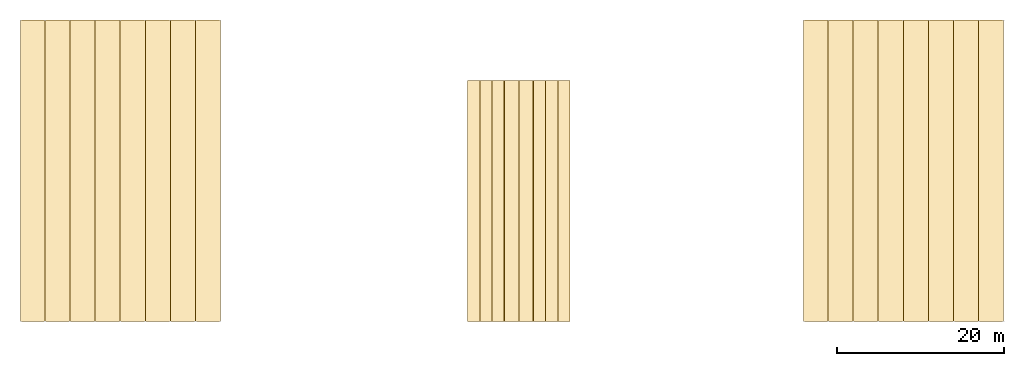
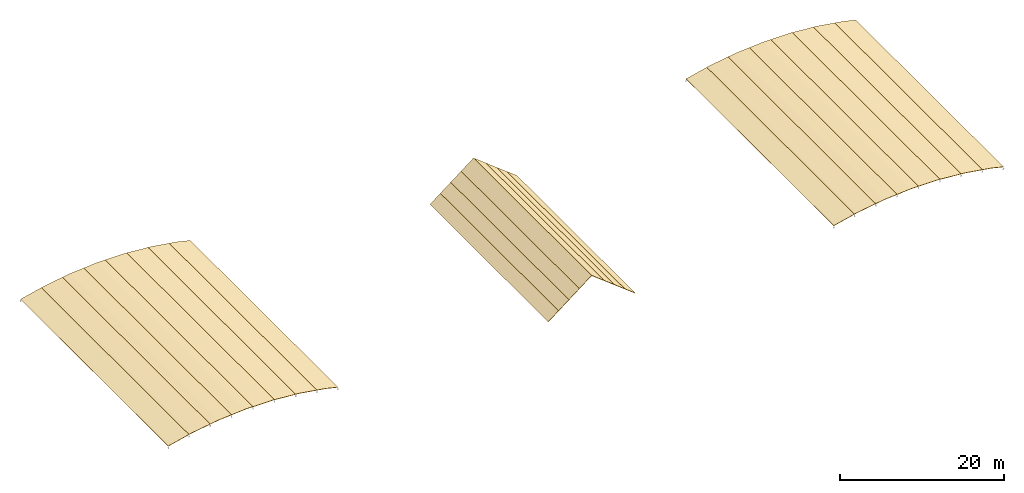
# One storey, part 13 of 13: 23 coverings.
"""IFC4 building model written with IfcOpenShell, lengths in metres."""

from ifc_helpers import new_model, si_unit, direction, frame, origin, place, context, subcontext, project, spatial, polygons, material, layer, layer_set, type_object, element, save


model = new_model("IFC4")

# Units and contexts
model_context = context("Model", 3, precision=1e-05, world=origin(), true_north=direction((0.0, 1.0)))
body_context = subcontext(model_context, "Body", "Model", "MODEL_VIEW")
ifc_project = project(units=[si_unit("LENGTHUNIT", "METRE"), si_unit("AREAUNIT", "SQUARE_METRE"), si_unit("VOLUMEUNIT", "CUBIC_METRE"), si_unit("PLANEANGLEUNIT", "RADIAN"), si_unit("MASSUNIT", "GRAM", prefix="KILO")], contexts=[model_context])

# Site, building, storey
site_placement = place(None, origin())
site = spatial("IfcSite", under=ifc_project, at=site_placement, CompositionType="ELEMENT")
building_placement = place(site_placement, origin())
building = spatial("IfcBuilding", under=site, at=building_placement, Name="Verrick Yard Athletic Hall", CompositionType="ELEMENT")
storey_placement = place(building_placement, frame((0.0, 0.0, 21.5)))
storey = spatial("IfcBuildingStorey", under=building, at=storey_placement, Name="Upper Roof", CompositionType="ELEMENT", Elevation=21.5)

# Coverings
ifc_material = material(Name="Standing-seam aluminium roofing", Category="aluminium")
ifc_layer = layer(ifc_material, 0.050048828125)
ifc_layer_set = layer_set([ifc_layer], Name="Roof covering standing seam")
covering_type = type_object("IfcCoveringType", Name="Roof covering standing seam", PredefinedType="ROOFING", material=ifc_layer_set)
covering_1_placement = place(storey_placement, origin())
element("IfcCovering", 1, at=covering_1_placement, inside=storey, type_object=covering_type, Name="Court hall A roofing course 6", PredefinedType="ROOFING", context=body_context, shape_type="Tessellation", body=[
    polygons([(132.85888671875, 72.0, -0.007080078125), (135.77587890625, 72.0, 0.692138671875), (132.85888671875, 108.0, -0.007080078125), (135.77587890625, 108.0, 0.692138671875), (132.847412109375, 72.0, 0.041748046875), (135.764404296875, 72.0, 0.74072265625), (132.847412109375, 108.0, 0.041748046875), (135.764404296875, 108.0, 0.74072265625)], [[[1, 4, 2]], [[1, 3, 4]], [[5, 6, 8]], [[5, 8, 7]], [[1, 2, 6]], [[1, 6, 5]], [[3, 8, 4]], [[3, 7, 8]], [[1, 5, 7]], [[1, 7, 3]], [[2, 8, 6]], [[2, 4, 8]]], closed=True),
])
covering_2_placement = place(storey_placement, origin())
element("IfcCovering", 2, at=covering_2_placement, inside=storey, type_object=covering_type, Name="Court hall A roofing course 7", PredefinedType="ROOFING", context=body_context, shape_type="Tessellation", body=[
    polygons([(135.77587890625, 72.0, 0.692138671875), (136.161865234375, 72.0, 0.78466796875), (138.75, 72.0, 1.19384765625), (135.77587890625, 108.0, 0.692138671875), (136.161865234375, 108.0, 0.78466796875), (138.75, 108.0, 1.19384765625), (135.764404296875, 72.0, 0.74072265625), (136.152099609375, 72.0, 0.833740234375), (138.7421875, 72.0, 1.243408203125), (135.764404296875, 108.0, 0.74072265625), (136.152099609375, 108.0, 0.833740234375), (138.7421875, 108.0, 1.243408203125)], [[[1, 5, 2]], [[1, 4, 5]], [[7, 8, 11]], [[7, 11, 10]], [[1, 2, 8]], [[1, 8, 7]], [[4, 11, 5]], [[4, 10, 11]], [[2, 6, 3]], [[2, 5, 6]], [[8, 9, 12]], [[8, 12, 11]], [[2, 3, 9]], [[2, 9, 8]], [[5, 12, 6]], [[5, 11, 12]], [[1, 7, 10]], [[1, 10, 4]], [[3, 12, 9]], [[3, 6, 12]]], closed=True),
])
covering_3_placement = place(storey_placement, origin())
element("IfcCovering", 3, at=covering_3_placement, inside=storey, type_object=covering_type, Name="Court hall A roofing course 8", PredefinedType="ROOFING", context=body_context, shape_type="Tessellation", body=[
    polygons([(138.75, 72.0, 1.19384765625), (139.913818359375, 72.0, 1.3779296875), (141.748046875, 72.0, 1.52197265625), (138.75, 108.0, 1.19384765625), (139.913818359375, 108.0, 1.3779296875), (141.748046875, 108.0, 1.52197265625), (138.7421875, 72.0, 1.243408203125), (139.907958984375, 72.0, 1.427734375), (141.744140625, 72.0, 1.572021484375), (138.7421875, 108.0, 1.243408203125), (139.907958984375, 108.0, 1.427734375), (141.744140625, 108.0, 1.572021484375)], [[[1, 5, 2]], [[1, 4, 5]], [[7, 8, 11]], [[7, 11, 10]], [[1, 2, 8]], [[1, 8, 7]], [[4, 11, 5]], [[4, 10, 11]], [[2, 6, 3]], [[2, 5, 6]], [[8, 9, 12]], [[8, 12, 11]], [[2, 3, 9]], [[2, 9, 8]], [[5, 12, 6]], [[5, 11, 12]], [[1, 7, 10]], [[1, 10, 4]], [[3, 12, 9]], [[3, 6, 12]]], closed=True),
])
covering_4_placement = place(storey_placement, origin())
element("IfcCovering", 4, at=covering_4_placement, inside=storey, type_object=covering_type, Name="Court hall A roofing course 9", PredefinedType="ROOFING", context=body_context, shape_type="Tessellation", body=[
    polygons([(141.748046875, 72.0, 1.52197265625), (143.70068359375, 72.0, 1.675537109375), (144.760009765625, 72.0, 1.675537109375), (141.748046875, 108.0, 1.52197265625), (143.70068359375, 108.0, 1.675537109375), (144.760009765625, 108.0, 1.675537109375), (141.744140625, 72.0, 1.572021484375), (143.69873046875, 72.0, 1.7255859375), (144.760009765625, 72.0, 1.7255859375), (141.744140625, 108.0, 1.572021484375), (143.69873046875, 108.0, 1.7255859375), (144.760009765625, 108.0, 1.7255859375)], [[[1, 5, 2]], [[1, 4, 5]], [[7, 8, 11]], [[7, 11, 10]], [[1, 2, 8]], [[1, 8, 7]], [[4, 11, 5]], [[4, 10, 11]], [[2, 6, 3]], [[2, 5, 6]], [[8, 9, 12]], [[8, 12, 11]], [[2, 3, 9]], [[2, 9, 8]], [[5, 12, 6]], [[5, 11, 12]], [[1, 7, 10]], [[1, 10, 4]], [[3, 12, 9]], [[3, 6, 12]]], closed=True),
])
covering_5_placement = place(storey_placement, origin())
element("IfcCovering", 5, at=covering_5_placement, inside=storey, type_object=covering_type, Name="Court hall A roofing course 10", PredefinedType="ROOFING", context=body_context, shape_type="Tessellation", body=[
    polygons([(144.760009765625, 72.0, 1.675537109375), (147.499267578125, 72.0, 1.675537109375), (147.777099609375, 72.0, 1.653564453125), (144.760009765625, 108.0, 1.675537109375), (147.499267578125, 108.0, 1.675537109375), (147.777099609375, 108.0, 1.653564453125), (144.760009765625, 72.0, 1.7255859375), (147.501220703125, 72.0, 1.7255859375), (147.781005859375, 72.0, 1.70361328125), (144.760009765625, 108.0, 1.7255859375), (147.501220703125, 108.0, 1.7255859375), (147.781005859375, 108.0, 1.70361328125)], [[[1, 5, 2]], [[1, 4, 5]], [[7, 8, 11]], [[7, 11, 10]], [[1, 2, 8]], [[1, 8, 7]], [[4, 11, 5]], [[4, 10, 11]], [[2, 6, 3]], [[2, 5, 6]], [[8, 9, 12]], [[8, 12, 11]], [[2, 3, 9]], [[2, 9, 8]], [[5, 12, 6]], [[5, 11, 12]], [[1, 7, 10]], [[1, 10, 4]], [[3, 12, 9]], [[3, 6, 12]]], closed=True),
])
covering_6_placement = place(storey_placement, origin())
element("IfcCovering", 6, at=covering_6_placement, inside=storey, type_object=covering_type, Name="Court hall A roofing course 11", PredefinedType="ROOFING", context=body_context, shape_type="Tessellation", body=[
    polygons([(147.777099609375, 72.0, 1.653564453125), (150.76806640625, 72.0, 1.418701171875), (147.777099609375, 108.0, 1.653564453125), (150.76806640625, 108.0, 1.418701171875), (147.781005859375, 72.0, 1.70361328125), (150.77197265625, 72.0, 1.468505859375), (147.781005859375, 108.0, 1.70361328125), (150.77197265625, 108.0, 1.468505859375)], [[[1, 4, 2]], [[1, 3, 4]], [[5, 6, 8]], [[5, 8, 7]], [[1, 2, 6]], [[1, 6, 5]], [[3, 8, 4]], [[3, 7, 8]], [[1, 5, 7]], [[1, 7, 3]], [[2, 8, 6]], [[2, 4, 8]]], closed=True),
])
covering_7_placement = place(storey_placement, origin())
element("IfcCovering", 7, at=covering_7_placement, inside=storey, type_object=covering_type, Name="Court hall A roofing course 12", PredefinedType="ROOFING", context=body_context, shape_type="Tessellation", body=[
    polygons([(150.76806640625, 72.0, 1.418701171875), (151.2861328125, 72.0, 1.3779296875), (153.7529296875, 72.0, 0.98779296875), (150.76806640625, 108.0, 1.418701171875), (151.2861328125, 108.0, 1.3779296875), (153.7529296875, 108.0, 0.98779296875), (150.77197265625, 72.0, 1.468505859375), (151.2919921875, 72.0, 1.427734375), (153.7607421875, 72.0, 1.037353515625), (150.77197265625, 108.0, 1.468505859375), (151.2919921875, 108.0, 1.427734375), (153.7607421875, 108.0, 1.037353515625)], [[[1, 5, 2]], [[1, 4, 5]], [[7, 8, 11]], [[7, 11, 10]], [[1, 2, 8]], [[1, 8, 7]], [[4, 11, 5]], [[4, 10, 11]], [[2, 6, 3]], [[2, 5, 6]], [[8, 9, 12]], [[8, 12, 11]], [[2, 3, 9]], [[2, 9, 8]], [[5, 12, 6]], [[5, 11, 12]], [[1, 7, 10]], [[1, 10, 4]], [[3, 12, 9]], [[3, 6, 12]]], closed=True),
])
covering_8_placement = place(storey_placement, origin())
element("IfcCovering", 8, at=covering_8_placement, inside=storey, type_object=covering_type, Name="Court hall A roofing course 13", PredefinedType="ROOFING", context=body_context, shape_type="Tessellation", body=[
    polygons([(153.7529296875, 72.0, 0.98779296875), (155.0380859375, 72.0, 0.78466796875), (156.70703125, 72.0, 0.384765625), (153.7529296875, 108.0, 0.98779296875), (155.0380859375, 108.0, 0.78466796875), (156.70703125, 108.0, 0.384765625), (153.7607421875, 72.0, 1.037353515625), (155.0478515625, 72.0, 0.833740234375), (156.71875, 72.0, 0.433349609375), (153.7607421875, 108.0, 1.037353515625), (155.0478515625, 108.0, 0.833740234375), (156.71875, 108.0, 0.433349609375)], [[[1, 5, 2]], [[1, 4, 5]], [[7, 8, 11]], [[7, 11, 10]], [[1, 2, 8]], [[1, 8, 7]], [[4, 11, 5]], [[4, 10, 11]], [[2, 6, 3]], [[2, 5, 6]], [[8, 9, 12]], [[8, 12, 11]], [[2, 3, 9]], [[2, 9, 8]], [[5, 12, 6]], [[5, 11, 12]], [[1, 7, 10]], [[1, 10, 4]], [[3, 12, 9]], [[3, 6, 12]]], closed=True),
])
covering_9_placement = place(storey_placement, origin())
element("IfcCovering", 9, at=covering_9_placement, inside=storey, type_object=covering_type, Name="Court hall B roofing course 6", PredefinedType="ROOFING", context=body_context, shape_type="Tessellation", body=[
    polygons([(39.259033203125, 72.0, -0.007080078125), (42.176025390625, 72.0, 0.692138671875), (39.259033203125, 108.0, -0.007080078125), (42.176025390625, 108.0, 0.692138671875), (39.247314453125, 72.0, 0.041748046875), (42.164306640625, 72.0, 0.74072265625), (39.247314453125, 108.0, 0.041748046875), (42.164306640625, 108.0, 0.74072265625)], [[[1, 4, 2]], [[1, 3, 4]], [[5, 6, 8]], [[5, 8, 7]], [[1, 2, 6]], [[1, 6, 5]], [[3, 8, 4]], [[3, 7, 8]], [[1, 5, 7]], [[1, 7, 3]], [[2, 8, 6]], [[2, 4, 8]]], closed=True),
])
covering_10_placement = place(storey_placement, origin())
element("IfcCovering", 10, at=covering_10_placement, inside=storey, type_object=covering_type, Name="Court hall B roofing course 7", PredefinedType="ROOFING", context=body_context, shape_type="Tessellation", body=[
    polygons([(42.176025390625, 72.0, 0.692138671875), (42.56201171875, 72.0, 0.78466796875), (45.14990234375, 72.0, 1.19384765625), (42.176025390625, 108.0, 0.692138671875), (42.56201171875, 108.0, 0.78466796875), (45.14990234375, 108.0, 1.19384765625), (42.164306640625, 72.0, 0.74072265625), (42.55224609375, 72.0, 0.833740234375), (45.14208984375, 72.0, 1.243408203125), (42.164306640625, 108.0, 0.74072265625), (42.55224609375, 108.0, 0.833740234375), (45.14208984375, 108.0, 1.243408203125)], [[[1, 5, 2]], [[1, 4, 5]], [[7, 8, 11]], [[7, 11, 10]], [[1, 2, 8]], [[1, 8, 7]], [[4, 11, 5]], [[4, 10, 11]], [[2, 6, 3]], [[2, 5, 6]], [[8, 9, 12]], [[8, 12, 11]], [[2, 3, 9]], [[2, 9, 8]], [[5, 12, 6]], [[5, 11, 12]], [[1, 7, 10]], [[1, 10, 4]], [[3, 12, 9]], [[3, 6, 12]]], closed=True),
])
covering_11_placement = place(storey_placement, origin())
element("IfcCovering", 11, at=covering_11_placement, inside=storey, type_object=covering_type, Name="Court hall B roofing course 8", PredefinedType="ROOFING", context=body_context, shape_type="Tessellation", body=[
    polygons([(45.14990234375, 72.0, 1.19384765625), (46.31396484375, 72.0, 1.3779296875), (48.14794921875, 72.0, 1.52197265625), (45.14990234375, 108.0, 1.19384765625), (46.31396484375, 108.0, 1.3779296875), (48.14794921875, 108.0, 1.52197265625), (45.14208984375, 72.0, 1.243408203125), (46.307861328125, 72.0, 1.427734375), (48.14404296875, 72.0, 1.572021484375), (45.14208984375, 108.0, 1.243408203125), (46.307861328125, 108.0, 1.427734375), (48.14404296875, 108.0, 1.572021484375)], [[[1, 5, 2]], [[1, 4, 5]], [[7, 8, 11]], [[7, 11, 10]], [[1, 2, 8]], [[1, 8, 7]], [[4, 11, 5]], [[4, 10, 11]], [[2, 6, 3]], [[2, 5, 6]], [[8, 9, 12]], [[8, 12, 11]], [[2, 3, 9]], [[2, 9, 8]], [[5, 12, 6]], [[5, 11, 12]], [[1, 7, 10]], [[1, 10, 4]], [[3, 12, 9]], [[3, 6, 12]]], closed=True),
])
covering_12_placement = place(storey_placement, origin())
element("IfcCovering", 12, at=covering_12_placement, inside=storey, type_object=covering_type, Name="Court hall B roofing course 9", PredefinedType="ROOFING", context=body_context, shape_type="Tessellation", body=[
    polygons([(48.14794921875, 72.0, 1.52197265625), (50.100830078125, 72.0, 1.675537109375), (51.159912109375, 72.0, 1.675537109375), (48.14794921875, 108.0, 1.52197265625), (50.100830078125, 108.0, 1.675537109375), (51.159912109375, 108.0, 1.675537109375), (48.14404296875, 72.0, 1.572021484375), (50.098876953125, 72.0, 1.7255859375), (51.159912109375, 72.0, 1.7255859375), (48.14404296875, 108.0, 1.572021484375), (50.098876953125, 108.0, 1.7255859375), (51.159912109375, 108.0, 1.7255859375)], [[[1, 5, 2]], [[1, 4, 5]], [[7, 8, 11]], [[7, 11, 10]], [[1, 2, 8]], [[1, 8, 7]], [[4, 11, 5]], [[4, 10, 11]], [[2, 6, 3]], [[2, 5, 6]], [[8, 9, 12]], [[8, 12, 11]], [[2, 3, 9]], [[2, 9, 8]], [[5, 12, 6]], [[5, 11, 12]], [[1, 7, 10]], [[1, 10, 4]], [[3, 12, 9]], [[3, 6, 12]]], closed=True),
])
covering_13_placement = place(storey_placement, origin())
element("IfcCovering", 13, at=covering_13_placement, inside=storey, type_object=covering_type, Name="Court hall B roofing course 10", PredefinedType="ROOFING", context=body_context, shape_type="Tessellation", body=[
    polygons([(51.159912109375, 72.0, 1.675537109375), (53.899169921875, 72.0, 1.675537109375), (54.177001953125, 72.0, 1.653564453125), (51.159912109375, 108.0, 1.675537109375), (53.899169921875, 108.0, 1.675537109375), (54.177001953125, 108.0, 1.653564453125), (51.159912109375, 72.0, 1.7255859375), (53.901123046875, 72.0, 1.7255859375), (54.180908203125, 72.0, 1.70361328125), (51.159912109375, 108.0, 1.7255859375), (53.901123046875, 108.0, 1.7255859375), (54.180908203125, 108.0, 1.70361328125)], [[[1, 5, 2]], [[1, 4, 5]], [[7, 8, 11]], [[7, 11, 10]], [[1, 2, 8]], [[1, 8, 7]], [[4, 11, 5]], [[4, 10, 11]], [[2, 6, 3]], [[2, 5, 6]], [[8, 9, 12]], [[8, 12, 11]], [[2, 3, 9]], [[2, 9, 8]], [[5, 12, 6]], [[5, 11, 12]], [[1, 7, 10]], [[1, 10, 4]], [[3, 12, 9]], [[3, 6, 12]]], closed=True),
])
covering_14_placement = place(storey_placement, origin())
element("IfcCovering", 14, at=covering_14_placement, inside=storey, type_object=covering_type, Name="Court hall B roofing course 11", PredefinedType="ROOFING", context=body_context, shape_type="Tessellation", body=[
    polygons([(54.177001953125, 72.0, 1.653564453125), (57.16796875, 72.0, 1.418701171875), (54.177001953125, 108.0, 1.653564453125), (57.16796875, 108.0, 1.418701171875), (54.180908203125, 72.0, 1.70361328125), (57.171875, 72.0, 1.468505859375), (54.180908203125, 108.0, 1.70361328125), (57.171875, 108.0, 1.468505859375)], [[[1, 4, 2]], [[1, 3, 4]], [[5, 6, 8]], [[5, 8, 7]], [[1, 2, 6]], [[1, 6, 5]], [[3, 8, 4]], [[3, 7, 8]], [[1, 5, 7]], [[1, 7, 3]], [[2, 8, 6]], [[2, 4, 8]]], closed=True),
])
covering_15_placement = place(storey_placement, origin())
element("IfcCovering", 15, at=covering_15_placement, inside=storey, type_object=covering_type, Name="Court hall B roofing course 12", PredefinedType="ROOFING", context=body_context, shape_type="Tessellation", body=[
    polygons([(57.16796875, 72.0, 1.418701171875), (57.686279296875, 72.0, 1.3779296875), (60.153076171875, 72.0, 0.98779296875), (57.16796875, 108.0, 1.418701171875), (57.686279296875, 108.0, 1.3779296875), (60.153076171875, 108.0, 0.98779296875), (57.171875, 72.0, 1.468505859375), (57.692138671875, 72.0, 1.427734375), (60.160888671875, 72.0, 1.037353515625), (57.171875, 108.0, 1.468505859375), (57.692138671875, 108.0, 1.427734375), (60.160888671875, 108.0, 1.037353515625)], [[[1, 5, 2]], [[1, 4, 5]], [[7, 8, 11]], [[7, 11, 10]], [[1, 2, 8]], [[1, 8, 7]], [[4, 11, 5]], [[4, 10, 11]], [[2, 6, 3]], [[2, 5, 6]], [[8, 9, 12]], [[8, 12, 11]], [[2, 3, 9]], [[2, 9, 8]], [[5, 12, 6]], [[5, 11, 12]], [[1, 7, 10]], [[1, 10, 4]], [[3, 12, 9]], [[3, 6, 12]]], closed=True),
])
covering_16_placement = place(storey_placement, origin())
element("IfcCovering", 16, at=covering_16_placement, inside=storey, type_object=covering_type, Name="Court hall B roofing course 13", PredefinedType="ROOFING", context=body_context, shape_type="Tessellation", body=[
    polygons([(60.153076171875, 72.0, 0.98779296875), (61.43798828125, 72.0, 0.78466796875), (63.10693359375, 72.0, 0.384765625), (60.153076171875, 108.0, 0.98779296875), (61.43798828125, 108.0, 0.78466796875), (63.10693359375, 108.0, 0.384765625), (60.160888671875, 72.0, 1.037353515625), (61.44775390625, 72.0, 0.833740234375), (63.11865234375, 72.0, 0.433349609375), (60.160888671875, 108.0, 1.037353515625), (61.44775390625, 108.0, 0.833740234375), (63.11865234375, 108.0, 0.433349609375)], [[[1, 5, 2]], [[1, 4, 5]], [[7, 8, 11]], [[7, 11, 10]], [[1, 2, 8]], [[1, 8, 7]], [[4, 11, 5]], [[4, 10, 11]], [[2, 6, 3]], [[2, 5, 6]], [[8, 9, 12]], [[8, 12, 11]], [[2, 3, 9]], [[2, 9, 8]], [[5, 12, 6]], [[5, 11, 12]], [[1, 7, 10]], [[1, 10, 4]], [[3, 12, 9]], [[3, 6, 12]]], closed=True),
])
covering_17_placement = place(storey_placement, origin())
element("IfcCovering", 17, at=covering_17_placement, inside=storey, type_object=covering_type, Name="Climbing hall roofing course 4", PredefinedType="ROOFING", context=body_context, shape_type="Tessellation", body=[
    polygons([(92.7060546875, 72.0, -0.23974609375), (94.1669921875, 72.0, 0.896484375), (92.7060546875, 100.800048828125, -0.23974609375), (94.1669921875, 100.800048828125, 0.896484375), (92.67529296875, 72.0, -0.2001953125), (94.13623046875, 72.0, 0.93603515625), (92.67529296875, 100.800048828125, -0.2001953125), (94.13623046875, 100.800048828125, 0.93603515625)], [[[1, 4, 2]], [[1, 3, 4]], [[5, 6, 8]], [[5, 8, 7]], [[1, 2, 6]], [[1, 6, 5]], [[3, 8, 4]], [[3, 7, 8]], [[1, 5, 7]], [[1, 7, 3]], [[2, 8, 6]], [[2, 4, 8]]], closed=True),
])
covering_18_placement = place(storey_placement, origin())
element("IfcCovering", 18, at=covering_18_placement, inside=storey, type_object=covering_type, Name="Climbing hall roofing course 5", PredefinedType="ROOFING", context=body_context, shape_type="Tessellation", body=[
    polygons([(94.1669921875, 72.0, 0.896484375), (95.626953125, 72.0, 2.0322265625), (94.1669921875, 100.800048828125, 0.896484375), (95.626953125, 100.800048828125, 2.0322265625), (94.13623046875, 72.0, 0.93603515625), (95.59619140625, 72.0, 2.071533203125), (94.13623046875, 100.800048828125, 0.93603515625), (95.59619140625, 100.800048828125, 2.071533203125)], [[[1, 4, 2]], [[1, 3, 4]], [[5, 6, 8]], [[5, 8, 7]], [[1, 2, 6]], [[1, 6, 5]], [[3, 8, 4]], [[3, 7, 8]], [[1, 5, 7]], [[1, 7, 3]], [[2, 8, 6]], [[2, 4, 8]]], closed=True),
])
covering_19_placement = place(storey_placement, origin())
element("IfcCovering", 19, at=covering_19_placement, inside=storey, type_object=covering_type, Name="Climbing hall roofing course 6", PredefinedType="ROOFING", context=body_context, shape_type="Tessellation", body=[
    polygons([(95.626953125, 72.0, 2.0322265625), (97.0869140625, 72.0, 3.167724609375), (95.626953125, 100.800048828125, 2.0322265625), (97.0869140625, 100.800048828125, 3.167724609375), (95.59619140625, 72.0, 2.071533203125), (97.056396484375, 72.0, 3.20703125), (95.59619140625, 100.800048828125, 2.071533203125), (97.056396484375, 100.800048828125, 3.20703125)], [[[1, 4, 2]], [[1, 3, 4]], [[5, 6, 8]], [[5, 8, 7]], [[1, 2, 6]], [[1, 6, 5]], [[3, 8, 4]], [[3, 7, 8]], [[1, 5, 7]], [[1, 7, 3]], [[2, 8, 6]], [[2, 4, 8]]], closed=True),
])
covering_20_placement = place(storey_placement, origin())
element("IfcCovering", 20, at=covering_20_placement, inside=storey, type_object=covering_type, Name="Climbing hall roofing course 7", PredefinedType="ROOFING", context=body_context, shape_type="Tessellation", body=[
    polygons([(97.0869140625, 72.0, 3.167724609375), (98.800048828125, 72.0, 4.5), (100.512939453125, 72.0, 3.167724609375), (97.0869140625, 100.800048828125, 3.167724609375), (98.800048828125, 100.800048828125, 4.5), (100.512939453125, 100.800048828125, 3.167724609375), (97.056396484375, 72.0, 3.20703125), (98.800048828125, 72.0, 4.563232421875), (100.543701171875, 72.0, 3.20703125), (97.056396484375, 100.800048828125, 3.20703125), (98.800048828125, 100.800048828125, 4.563232421875), (100.543701171875, 100.800048828125, 3.20703125)], [[[1, 5, 2]], [[1, 4, 5]], [[7, 8, 11]], [[7, 11, 10]], [[1, 2, 8]], [[1, 8, 7]], [[4, 11, 5]], [[4, 10, 11]], [[2, 6, 3]], [[2, 5, 6]], [[8, 9, 12]], [[8, 12, 11]], [[2, 3, 9]], [[2, 9, 8]], [[5, 12, 6]], [[5, 11, 12]], [[1, 7, 10]], [[1, 10, 4]], [[3, 12, 9]], [[3, 6, 12]]], closed=True),
])
covering_21_placement = place(storey_placement, origin())
element("IfcCovering", 21, at=covering_21_placement, inside=storey, type_object=covering_type, Name="Climbing hall roofing course 8", PredefinedType="ROOFING", context=body_context, shape_type="Tessellation", body=[
    polygons([(100.512939453125, 72.0, 3.167724609375), (101.972900390625, 72.0, 2.0322265625), (100.512939453125, 100.800048828125, 3.167724609375), (101.972900390625, 100.800048828125, 2.0322265625), (100.543701171875, 72.0, 3.20703125), (102.003662109375, 72.0, 2.071533203125), (100.543701171875, 100.800048828125, 3.20703125), (102.003662109375, 100.800048828125, 2.071533203125)], [[[1, 4, 2]], [[1, 3, 4]], [[5, 6, 8]], [[5, 8, 7]], [[1, 2, 6]], [[1, 6, 5]], [[3, 8, 4]], [[3, 7, 8]], [[1, 5, 7]], [[1, 7, 3]], [[2, 8, 6]], [[2, 4, 8]]], closed=True),
])
covering_22_placement = place(storey_placement, origin())
element("IfcCovering", 22, at=covering_22_placement, inside=storey, type_object=covering_type, Name="Climbing hall roofing course 9", PredefinedType="ROOFING", context=body_context, shape_type="Tessellation", body=[
    polygons([(101.972900390625, 72.0, 2.0322265625), (103.43310546875, 72.0, 0.896484375), (101.972900390625, 100.800048828125, 2.0322265625), (103.43310546875, 100.800048828125, 0.896484375), (102.003662109375, 72.0, 2.071533203125), (103.463623046875, 72.0, 0.93603515625), (102.003662109375, 100.800048828125, 2.071533203125), (103.463623046875, 100.800048828125, 0.93603515625)], [[[1, 4, 2]], [[1, 3, 4]], [[5, 6, 8]], [[5, 8, 7]], [[1, 2, 6]], [[1, 6, 5]], [[3, 8, 4]], [[3, 7, 8]], [[1, 5, 7]], [[1, 7, 3]], [[2, 8, 6]], [[2, 4, 8]]], closed=True),
])
covering_23_placement = place(storey_placement, origin())
element("IfcCovering", 23, at=covering_23_placement, inside=storey, type_object=covering_type, Name="Climbing hall roofing course 10", PredefinedType="ROOFING", context=body_context, shape_type="Tessellation", body=[
    polygons([(103.43310546875, 72.0, 0.896484375), (104.89404296875, 72.0, -0.23974609375), (103.43310546875, 100.800048828125, 0.896484375), (104.89404296875, 100.800048828125, -0.23974609375), (103.463623046875, 72.0, 0.93603515625), (104.9248046875, 72.0, -0.2001953125), (103.463623046875, 100.800048828125, 0.93603515625), (104.9248046875, 100.800048828125, -0.2001953125)], [[[1, 4, 2]], [[1, 3, 4]], [[5, 6, 8]], [[5, 8, 7]], [[1, 2, 6]], [[1, 6, 5]], [[3, 8, 4]], [[3, 7, 8]], [[1, 5, 7]], [[1, 7, 3]], [[2, 8, 6]], [[2, 4, 8]]], closed=True),
])

save(model, "model.ifc")
